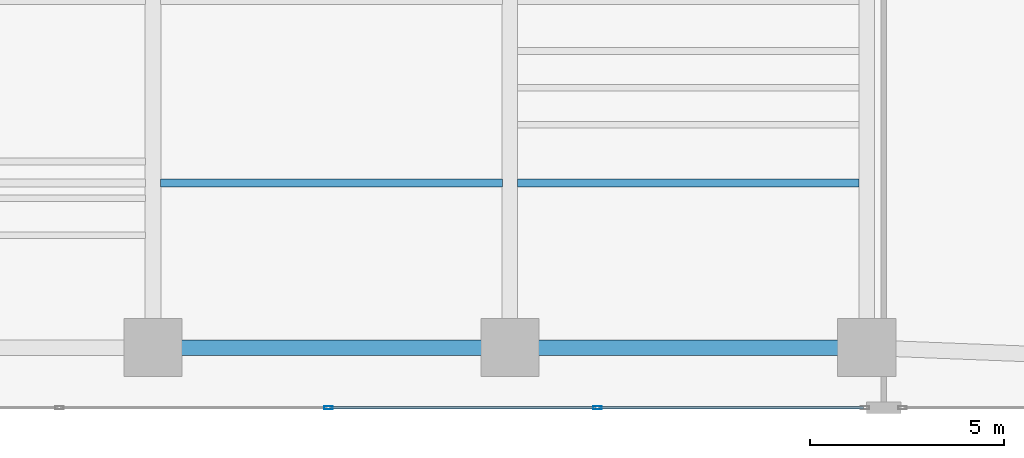
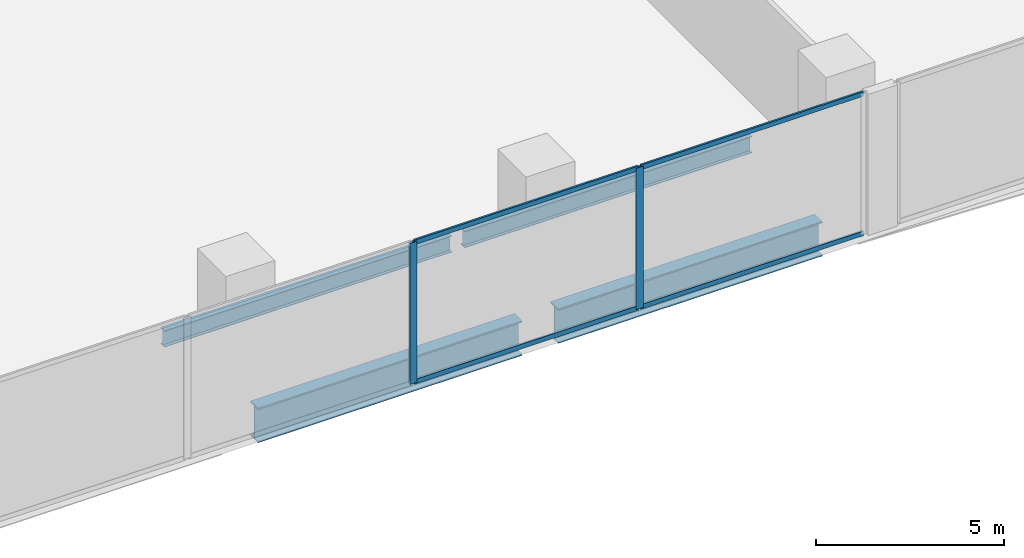
# One storey, part 8 of 28: 6 members, 4 beams, 1 element without a shape of its own.
"""IFC4 building model written with IfcOpenShell, lengths in metres."""

from ifc_helpers import new_model, si_unit, direction, frame, origin, origin_2d, place, context, subcontext, project, spatial, hollow_rectangle, i_section, extrude, material, layer, layer_set, material_profile, profile_set, type_object, element, aggregate, save


model = new_model("IFC4")

# Units and contexts
model_context = context("Model", 3, precision=1e-05, world=origin(), true_north=direction((0.0, 1.0)))
body_context = subcontext(model_context, "Body", "Model", "MODEL_VIEW")
ifc_project = project(units=[si_unit("LENGTHUNIT", "METRE"), si_unit("AREAUNIT", "SQUARE_METRE"), si_unit("VOLUMEUNIT", "CUBIC_METRE"), si_unit("PLANEANGLEUNIT", "RADIAN"), si_unit("MASSUNIT", "GRAM", prefix="KILO")], contexts=[model_context])

# Site, building, storey
site_placement = place(None, origin())
site = spatial("IfcSite", under=ifc_project, at=site_placement, CompositionType="ELEMENT")
building_placement = place(site_placement, origin())
building = spatial("IfcBuilding", under=site, at=building_placement, Name="Zuhayl Quay Hotel", CompositionType="ELEMENT")
storey_placement = place(building_placement, frame((0.0, 0.0, 22.800048828125)))
storey = spatial("IfcBuildingStorey", under=building, at=storey_placement, Name="L04", CompositionType="ELEMENT", Elevation=22.800048828125)

# Beams
ifc_material_1 = material(Name="Steel ASTM A992 Grade 50", Category="steel")
ifc_material_profile_1 = material_profile(ifc_material_1, i_section(OverallWidth=0.208984375, OverallDepth=0.532958984375, WebThickness=0.01025390625, FlangeThickness=0.015625, at=origin_2d()), Name="W21X62")
ifc_profile_set_1 = profile_set([ifc_material_profile_1], Name="Steel ASTM A992 Grade 50")
beam_type_1 = type_object("IfcBeamType", Name="BM_J1_W21X62", PredefinedType="JOIST", material=ifc_profile_set_1)
for number, where, z_axis, x_axis, name in (
    (1, (-4.406005859375, -18.199951171875, -0.526611328125), (1.0, 0.0, 0.0), (0.0, 1.0, 0.0), "L04 Floor Beam J_POD_L04_1_2"),
    (2, (4.7939453125, -18.199951171875, -0.526611328125), (1.0, 0.0, 0.0), (0.0, 1.0, 0.0), "L04 Floor Beam J_POD_L04_1_3"),
):
    element("IfcBeam", number, at=place(storey_placement, frame(where, z_axis=z_axis, x_axis=x_axis)), inside=storey, type_object=beam_type_1, Name=name, PredefinedType="JOIST", context=body_context, shape_type="SweptSolid", body=[
        extrude(i_section(OverallWidth=0.208984375, OverallDepth=0.532958984375, WebThickness=0.01025390625, FlangeThickness=0.015625, at=origin_2d()), origin(), (0.0, 0.0, 1.0), 8.81201171875),
    ])
ifc_material_2 = material(Name="Steel ASTM A913 Grade 65", Category="steel")
ifc_material_profile_2 = material_profile(ifc_material_2, i_section(OverallWidth=0.404052734375, OverallDepth=1.117919921875, WebThickness=0.026123046875, FlangeThickness=0.044921875, at=origin_2d()), Name="W44X335")
ifc_profile_set_2 = profile_set([ifc_material_profile_2], Name="Steel ASTM A913 Grade 65")
beam_type_2 = type_object("IfcBeamType", Name="BM_TG1_W44X335", PredefinedType="BEAM", material=ifc_profile_set_2)
for number, where, z_axis, x_axis, name in (
    (3, (-4.050048828125, -22.449951171875, -0.819091796875), (1.0, 0.0, 0.0), (0.0, 1.0, 0.0), "L04 Floor Beam PG_S_L04_2"),
    (4, (5.14990234375, -22.449951171875, -0.819091796875), (1.0, 0.0, 0.0), (0.0, 1.0, 0.0), "L04 Floor Beam PG_S_L04_3"),
):
    element("IfcBeam", number, at=place(storey_placement, frame(where, z_axis=z_axis, x_axis=x_axis)), inside=storey, type_object=beam_type_2, Name=name, PredefinedType="BEAM", context=body_context, shape_type="SweptSolid", body=[
        extrude(i_section(OverallWidth=0.404052734375, OverallDepth=1.117919921875, WebThickness=0.026123046875, FlangeThickness=0.044921875, at=origin_2d()), origin(), (0.0, 0.0, 1.0), 8.10009765625),
    ])

# Curtain wall, members
ifc_material_3 = material(Name="Anodised Aluminium 6063-T6", Category="aluminium")
ifc_layer = layer(ifc_material_3, 0.199951171875, Name="Anodised Aluminium 6063-T6", Category="aluminium")
ifc_layer_set = layer_set([ifc_layer], Name="Anodised Aluminium 6063-T6")
curtain_wall_type = type_object("IfcCurtainWallType", Name="CW_SYS_POD", PredefinedType="USERDEFINED", material=ifc_layer_set)
curtain_wall_placement = place(storey_placement, origin())
curtain_wall = element("IfcCurtainWall", 5, at=curtain_wall_placement, inside=storey, type_object=curtain_wall_type, Name="L04 Curtain Wall ENV_L04_E11_CW2", ObjectType="UNITISED CURTAIN WALL", PredefinedType="USERDEFINED")
ifc_material_4 = material(Name="Black-anodised aluminium 6063-T6", Category="aluminium")
ifc_material_profile_3 = material_profile(ifc_material_4, hollow_rectangle(XDim=0.074951171875, YDim=0.219970703125, WallThickness=0.00390625, at=origin_2d()), Name="ALU220X75")
ifc_profile_set_3 = profile_set([ifc_material_profile_3], Name="Black-anodised aluminium 6063-T6")
member_type_1 = type_object("IfcMemberType", Name="MB_CW_MUL_220", PredefinedType="MULLION", material=ifc_profile_set_3)
member_1_placement = place(storey_placement, frame((6.85498046875, -24.0, 0.0), z_axis=(0.0, 0.0, 1.0), x_axis=(0.0, -1.0, 0.0)))
member_1 = element("IfcMember", 6, at=member_1_placement, type_object=member_type_1, Name="CW-POD mullion 2", PredefinedType="MULLION", context=body_context, shape_type="SweptSolid", body=[
    extrude(hollow_rectangle(XDim=0.074951171875, YDim=0.219970703125, WallThickness=0.00390625, at=origin_2d()), origin(), (0.0, 0.0, 1.0), 4.579833984375),
])
member_2_placement = place(storey_placement, frame((-0.080078125, -24.0, 0.0), z_axis=(0.0, 0.0, 1.0), x_axis=(0.0, -1.0, 0.0)))
member_2 = element("IfcMember", 7, at=member_2_placement, type_object=member_type_1, Name="CW-POD mullion 3", PredefinedType="MULLION", context=body_context, shape_type="SweptSolid", body=[
    extrude(hollow_rectangle(XDim=0.074951171875, YDim=0.219970703125, WallThickness=0.00390625, at=origin_2d()), origin(), (0.0, 0.0, 1.0), 4.579833984375),
])
ifc_material_profile_4 = material_profile(ifc_material_4, hollow_rectangle(XDim=0.06005859375, YDim=0.14990234375, WallThickness=0.00341796875, at=origin_2d()), Name="ALU150X60")
ifc_profile_set_4 = profile_set([ifc_material_profile_4], Name="Black-anodised aluminium 6063-T6")
member_type_2 = type_object("IfcMemberType", Name="MB_CW_TRN_150", PredefinedType="USERDEFINED", material=ifc_profile_set_4)
member_3_placement = place(storey_placement, frame((13.715087890625, -24.0, 0.030029296875), z_axis=(-1.0, 0.0, 0.0), x_axis=(0.0, -1.0, 0.0)))
member_3 = element("IfcMember", 8, at=member_3_placement, type_object=member_type_2, Name="CW-POD transom 1.1", ObjectType="TRANSOM", PredefinedType="USERDEFINED", context=body_context, shape_type="SweptSolid", body=[
    extrude(hollow_rectangle(XDim=0.06005859375, YDim=0.14990234375, WallThickness=0.00341796875, at=origin_2d()), origin(), (0.0, 0.0, 1.0), 6.822509765625),
])
member_4_placement = place(storey_placement, frame((13.715087890625, -24.0, 4.550048828125), z_axis=(-1.0, 0.0, 0.0), x_axis=(0.0, -1.0, 0.0)))
member_4 = element("IfcMember", 9, at=member_4_placement, type_object=member_type_2, Name="CW-POD transom 1.2", ObjectType="TRANSOM", PredefinedType="USERDEFINED", context=body_context, shape_type="SweptSolid", body=[
    extrude(hollow_rectangle(XDim=0.06005859375, YDim=0.14990234375, WallThickness=0.00341796875, at=origin_2d()), origin(), (0.0, 0.0, 1.0), 6.822509765625),
])
member_5_placement = place(storey_placement, frame((6.8173828125, -24.0, 0.030029296875), z_axis=(-1.0, 0.0, 0.0), x_axis=(0.0, -1.0, 0.0)))
member_5 = element("IfcMember", 10, at=member_5_placement, type_object=member_type_2, Name="CW-POD transom 2.1", ObjectType="TRANSOM", PredefinedType="USERDEFINED", context=body_context, shape_type="SweptSolid", body=[
    extrude(hollow_rectangle(XDim=0.06005859375, YDim=0.14990234375, WallThickness=0.00341796875, at=origin_2d()), origin(), (0.0, 0.0, 1.0), 6.85986328125),
])
member_6_placement = place(storey_placement, frame((6.8173828125, -24.0, 4.550048828125), z_axis=(-1.0, 0.0, 0.0), x_axis=(0.0, -1.0, 0.0)))
member_6 = element("IfcMember", 11, at=member_6_placement, type_object=member_type_2, Name="CW-POD transom 2.2", ObjectType="TRANSOM", PredefinedType="USERDEFINED", context=body_context, shape_type="SweptSolid", body=[
    extrude(hollow_rectangle(XDim=0.06005859375, YDim=0.14990234375, WallThickness=0.00341796875, at=origin_2d()), origin(), (0.0, 0.0, 1.0), 6.85986328125),
])
aggregate(curtain_wall, [member_1, member_2, member_3, member_4, member_5, member_6])

save(model, "model.ifc")
